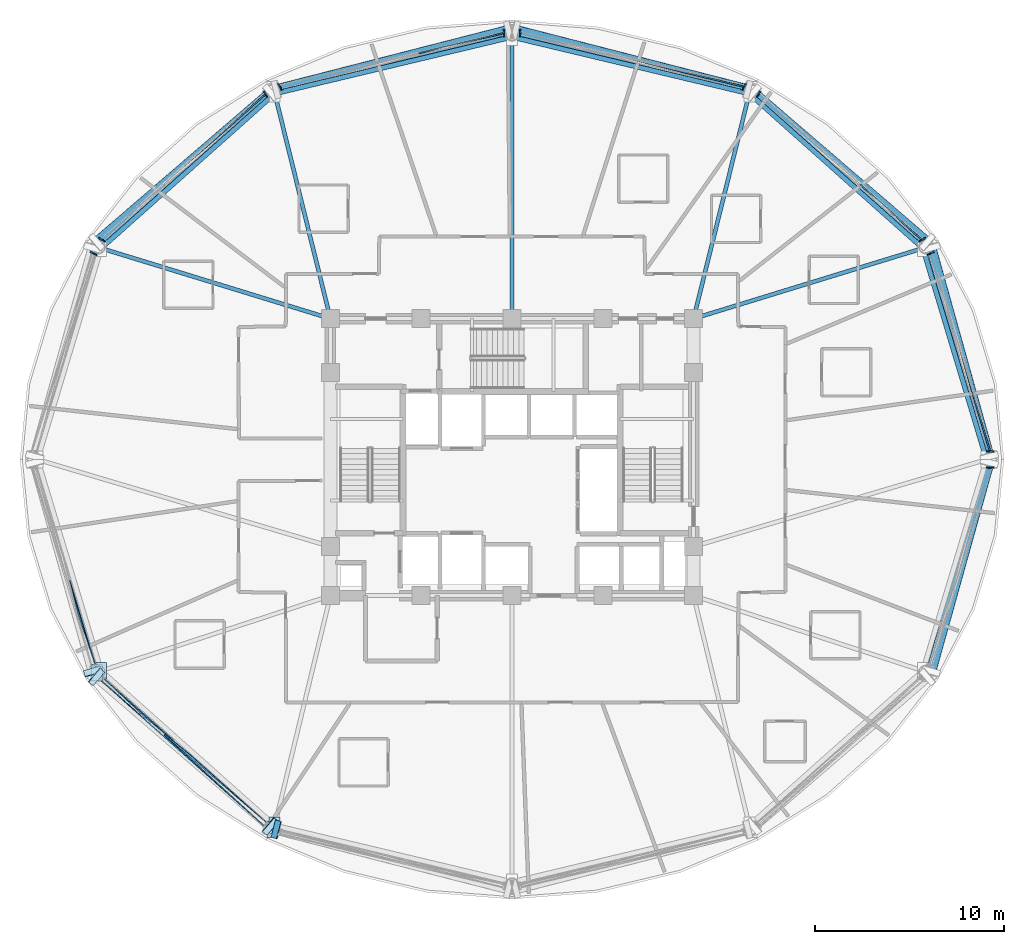
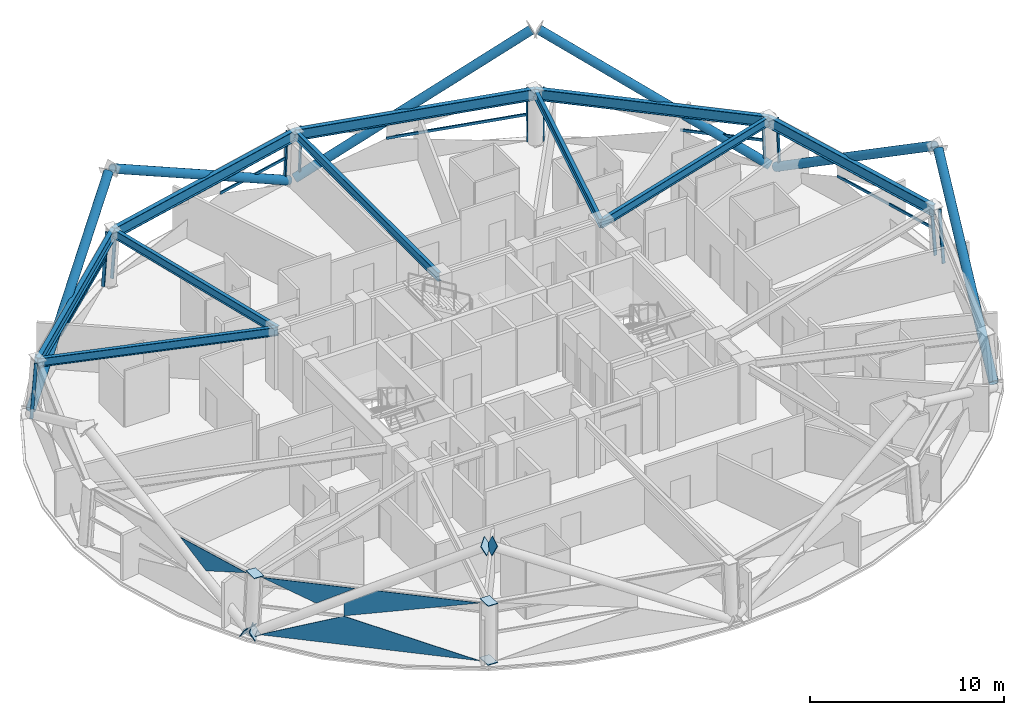
# One storey, part 3 of 13: 23 members, 12 plates, 10 beams, 9 elements without a shape of their own.
"""IFC4 building model written with IfcOpenShell, lengths in metres."""

import ifcopenshell
import ifcopenshell.guid

model = None  # the IFC model being written
_history = None  # IfcOwnerHistory: only IFC2X3 demands one
_inside = {}  # id of a spatial element -> (the spatial element, [elements in it])
_under = {}  # id of a project, library or spatial element -> (it, [spatial elements below it])
_declared = {}  # id of a project -> (the project, [libraries it declares])
_typed = {}  # id of a type object -> (the type object, [elements of that type])
_made_of = {}  # id of a material, layer set ... -> (it, [elements and type objects made of it])


def new_model(schema):
    """Start an empty IFC model of exactly this schema.

    Asked for "IFC4X3", IfcOpenShell would pick the latest addendum, in which some entities
    have other attributes; the version numbers below select the first issue.
    IFC2X3 requires an IfcOwnerHistory on every rooted entity: one is made here for all.
    """
    global model, _history
    if schema == "IFC4X3":
        model = ifcopenshell.file(schema_version=(4, 3, 0, 0))
    else:
        model = ifcopenshell.file(schema=schema)
    _inside.clear()
    _under.clear()
    _declared.clear()
    _typed.clear()
    _made_of.clear()
    _history = None
    if model.schema == "IFC2X3":
        org = make("IfcOrganization", Name="unknown")
        user = make(
            "IfcPersonAndOrganization",
            ThePerson=make("IfcPerson", FamilyName="unknown"),
            TheOrganization=org,
        )
        app = make(
            "IfcApplication",
            ApplicationDeveloper=org,
            Version="unknown",
            ApplicationFullName="unknown",
            ApplicationIdentifier="unknown",
        )
        _history = make(
            "IfcOwnerHistory",
            OwningUser=user,
            OwningApplication=app,
            ChangeAction="ADDED",
            CreationDate=0,
        )
    return model


def make(cls, **values):
    """One entity of the class cls with the attributes given. An attribute that is None is left unset."""
    return model.create_entity(
        cls, **{name: value for name, value in values.items() if value is not None}
    )


def rooted(cls, **values):
    """An entity with a GlobalId (a new one), such as an element, a storey or a relation."""
    return make(cls, GlobalId=ifcopenshell.guid.new(), OwnerHistory=_history, **values)


def si_unit(unit_type, name, prefix=None):
    """IfcSIUnit, for example si_unit("LENGTHUNIT", "METRE", prefix="MILLI")."""
    return make("IfcSIUnit", UnitType=unit_type, Prefix=prefix, Name=name)


def assignment(units):
    """IfcUnitAssignment: the units of a project."""
    return None if units is None else make("IfcUnitAssignment", Units=units)


def point(xyz):
    """IfcCartesianPoint."""
    return None if xyz is None else make("IfcCartesianPoint", Coordinates=xyz)


def direction(xyz):
    """IfcDirection."""
    return None if xyz is None else make("IfcDirection", DirectionRatios=xyz)


def frame(location, z_axis=None, x_axis=None):
    """IfcAxis2Placement3D, a coordinate frame: its origin and axes. An axis left out is left unset."""
    return make(
        "IfcAxis2Placement3D",
        Location=point(location),
        Axis=direction(z_axis),
        RefDirection=direction(x_axis),
    )


def frame_2d(location, x_axis=None):
    """IfcAxis2Placement2D, a coordinate frame in the plane: its origin and x axis."""
    return make(
        "IfcAxis2Placement2D", Location=point(location), RefDirection=direction(x_axis)
    )


def origin():
    """The frame at (0, 0, 0) with its axes left unset."""
    return frame((0.0, 0.0, 0.0))


def origin_2d():
    """The frame at (0, 0) in the plane with its x axis left unset."""
    return frame_2d((0.0, 0.0))


def place(relative_to, where):
    """IfcLocalPlacement: puts the frame where relative to a parent placement (None: the world)."""
    return make(
        "IfcLocalPlacement", PlacementRelTo=relative_to, RelativePlacement=where
    )


def context(
    kind, dimensions, precision=None, world=None, true_north=None, identifier=None
):
    """IfcGeometricRepresentationContext, for example the 3D "Model" context."""
    return make(
        "IfcGeometricRepresentationContext",
        ContextIdentifier=identifier,
        ContextType=kind,
        CoordinateSpaceDimension=dimensions,
        Precision=precision,
        WorldCoordinateSystem=world,
        TrueNorth=true_north,
    )


def subcontext(parent, identifier, kind, view, scale=None):
    """IfcGeometricRepresentationSubContext, for example "Body" below "Model"."""
    return make(
        "IfcGeometricRepresentationSubContext",
        ContextIdentifier=identifier,
        ContextType=kind,
        ParentContext=parent,
        TargetScale=scale,
        TargetView=view,
    )


def project(units=None, contexts=None):
    """IfcProject with its units and contexts."""
    return rooted(
        "IfcProject",
        Name="project",
        RepresentationContexts=contexts,
        UnitsInContext=assignment(units),
    )


def spatial(cls, under=None, at=None, **own):
    """A site, building, storey or space (cls), placed at a placement, below another one or the project."""
    s = rooted(cls, ObjectPlacement=at, **own)
    if under is not None:
        _under.setdefault(under.id(), (under, []))[1].append(s)
    return s


def polyline(points):
    """IfcPolyline through the points."""
    return make("IfcPolyline", Points=[point(p) for p in points])


def profile(cls, at=None, kind="AREA", **sizes):
    """A parametric profile (cls). Its sizes go by their IFC names, for example OverallWidth=200.0."""
    return make(cls, ProfileType=kind, Position=at, **sizes)


def hollow_rectangle(**sizes):
    """IfcRectangleHollowProfileDef."""
    return profile("IfcRectangleHollowProfileDef", **sizes)


def hollow_circle(**sizes):
    """IfcCircleHollowProfileDef."""
    return profile("IfcCircleHollowProfileDef", **sizes)


def i_section(**sizes):
    """IfcIShapeProfileDef."""
    return profile("IfcIShapeProfileDef", **sizes)


def outline(outer, holes=None, kind="AREA"):
    """IfcArbitraryClosedProfileDef: a profile drawn as a closed curve; with holes, ...WithVoids."""
    if holes is None:
        return make("IfcArbitraryClosedProfileDef", ProfileType=kind, OuterCurve=outer)
    return make(
        "IfcArbitraryProfileDefWithVoids",
        ProfileType=kind,
        OuterCurve=outer,
        InnerCurves=holes,
    )


def extrude(swept, where, along, depth):
    """IfcExtrudedAreaSolid: the profile swept, set in the frame where, extruded along a direction by depth."""
    return make(
        "IfcExtrudedAreaSolid",
        SweptArea=swept,
        Position=where,
        ExtrudedDirection=direction(along),
        Depth=depth,
    )


def shape(context_of_items, identifier, shape_type, items):
    """IfcShapeRepresentation: the items that make up one representation, for example the "Body"."""
    return make(
        "IfcShapeRepresentation",
        ContextOfItems=context_of_items,
        RepresentationIdentifier=identifier,
        RepresentationType=shape_type,
        Items=items,
    )


def material(Name=None, Category=None):
    """IfcMaterial."""
    return make("IfcMaterial", Name=Name, Category=Category)


def layer(
    of_material, thickness, ventilated=None, Name=None, Category=None, Priority=None
):
    """IfcMaterialLayer: one layer of a wall or slab, of a material (None: an air gap)."""
    return make(
        "IfcMaterialLayer",
        Material=of_material,
        LayerThickness=thickness,
        IsVentilated=ventilated,
        Name=Name,
        Category=Category,
        Priority=Priority,
    )


def layer_set(layers, Name=None):
    """IfcMaterialLayerSet."""
    return make("IfcMaterialLayerSet", MaterialLayers=layers, LayerSetName=Name)


def material_profile(
    of_material, cross_section, Name=None, Category=None, Priority=None
):
    """IfcMaterialProfile: a cross section and its material."""
    return make(
        "IfcMaterialProfile",
        Name=Name,
        Material=of_material,
        Profile=cross_section,
        Priority=Priority,
        Category=Category,
    )


def profile_set(profiles, Name=None, composite=None):
    """IfcMaterialProfileSet."""
    return make(
        "IfcMaterialProfileSet",
        Name=Name,
        MaterialProfiles=profiles,
        CompositeProfile=composite,
    )


def made_of(thing, what):
    """Note that an element or type object is made of a material, layer set ...; save() writes the relation."""
    if what is not None:
        _made_of.setdefault(what.id(), (what, []))[1].append(thing)
    return thing


def type_object(cls, material=None, **own):
    """A type object (cls), such as IfcWallType, which elements share."""
    return made_of(rooted(cls, **own), material)


def element(
    cls,
    number,
    at=None,
    inside=None,
    cuts=None,
    type_object=None,
    material=None,
    context=None,
    identifier="Body",
    shape_type=None,
    held_by="IfcProductDefinitionShape",
    body=None,
    shapes=None,
    **own,
):
    """One element of the class cls, such as IfcWall. Its Tag is "e" and its number.

    at: its placement. inside: the storey or other place that contains it. cuts: it is an
    opening in that element (IfcRelVoidsElement). A single representation is given by context,
    identifier, shape_type and body (its items); several are given by shapes. held_by: the class
    of the entity that holds the representations. save() writes the other relations.
    """
    e = rooted(cls, Tag="e%d" % number, ObjectPlacement=at, **own)
    if body is not None:
        shapes = [shape(context, identifier, shape_type, body)]
    if shapes is not None:
        e.Representation = make(held_by, Representations=shapes)
    if inside is not None:
        _inside.setdefault(inside.id(), (inside, []))[1].append(e)
    if cuts is not None:
        rooted(
            "IfcRelVoidsElement", RelatingBuildingElement=cuts, RelatedOpeningElement=e
        )
    if type_object is not None:
        _typed.setdefault(type_object.id(), (type_object, []))[1].append(e)
    return made_of(e, material)


def aggregate(whole, parts):
    """IfcRelAggregates: a whole, such as a stair, and the parts it consists of."""
    return rooted("IfcRelAggregates", RelatingObject=whole, RelatedObjects=parts)


def save(model, path):
    """Write the relations noted so far, then the file.

    IfcRelAggregates (storeys below a building ...), IfcRelContainedInSpatialStructure (elements
    in a storey), IfcRelDefinesByType, IfcRelAssociatesMaterial and IfcRelDeclares: one each for
    every whole, place, type object, material and project.
    """
    for whole, parts in _under.values():
        aggregate(whole, parts)
    for where, things in _inside.values():
        rooted(
            "IfcRelContainedInSpatialStructure",
            RelatedElements=things,
            RelatingStructure=where,
        )
    for kind, things in _typed.values():
        rooted("IfcRelDefinesByType", RelatedObjects=things, RelatingType=kind)
    for what, things in _made_of.values():
        rooted("IfcRelAssociatesMaterial", RelatedObjects=things, RelatingMaterial=what)
    for by, libraries in _declared.values():
        rooted("IfcRelDeclares", RelatingContext=by, RelatedDefinitions=libraries)
    model.write(path)


model = new_model("IFC4")

# Units and contexts
model_context = context("Model", 3, precision=1e-05, world=origin(), true_north=direction((0.0, 1.0)))
body_context = subcontext(model_context, "Body", "Model", "MODEL_VIEW")
ifc_project = project(units=[si_unit("LENGTHUNIT", "METRE"), si_unit("AREAUNIT", "SQUARE_METRE"), si_unit("VOLUMEUNIT", "CUBIC_METRE"), si_unit("PLANEANGLEUNIT", "RADIAN"), si_unit("MASSUNIT", "GRAM", prefix="KILO")], contexts=[model_context])

# Site, building, storey
site_placement = place(None, origin())
site = spatial("IfcSite", under=ifc_project, at=site_placement, CompositionType="ELEMENT")
building_placement = place(site_placement, origin())
building = spatial("IfcBuilding", under=site, at=building_placement, Name="Vantalir Tower", CompositionType="ELEMENT")
storey_placement = place(building_placement, frame((0.0, 0.0, 127.199951171875)))
storey = spatial("IfcBuildingStorey", under=building, at=storey_placement, Name="L31", CompositionType="ELEMENT", Elevation=127.199951171875)

# Beams
ifc_material_1 = material(Name="Steel S355", Category="steel")
ifc_material_profile_1 = material_profile(ifc_material_1, i_section(OverallWidth=0.2109375, OverallDepth=0.5390625, WebThickness=0.01171875, FlangeThickness=0.018798828125, at=origin_2d()), Name="Steel S355")
ifc_profile_set_1 = profile_set([ifc_material_profile_1], Name="Steel S355")
beam_type_1 = type_object("IfcBeamType", Name="BM-RB-533x210", PredefinedType="BEAM", material=ifc_profile_set_1)
beam_1_placement = place(storey_placement, frame((53.23095703125, 36.172119140625, 3.301025390625), z_axis=(-0.956009182138, -0.293336741082, 0.0), x_axis=(0.293336741082, -0.956009182138, 0.0)))
element("IfcBeam", 1, at=beam_1_placement, inside=storey, type_object=beam_type_1, Name="L31 Radial Floor Beam 02", PredefinedType="BEAM", context=body_context, shape_type="SweptSolid", body=[
    extrude(i_section(OverallWidth=0.2109375, OverallDepth=0.5390625, WebThickness=0.01171875, FlangeThickness=0.018798828125, at=origin_2d()), origin(), (0.0, 0.0, 1.0), 12.68896484375),
])
beam_2_placement = place(storey_placement, frame((44.047119140625, 44.35107421875, 3.301025390625), z_axis=(-0.240365710166, -0.970682401909, 0.0), x_axis=(0.970682401909, -0.240365710166, 0.0)))
element("IfcBeam", 2, at=beam_2_placement, inside=storey, type_object=beam_type_1, Name="L31 Radial Floor Beam 03", PredefinedType="BEAM", context=body_context, shape_type="SweptSolid", body=[
    extrude(i_section(OverallWidth=0.2109375, OverallDepth=0.5390625, WebThickness=0.01171875, FlangeThickness=0.018798828125, at=origin_2d()), origin(), (0.0, 0.0, 1.0), 12.260498046875),
])
beam_3_placement = place(storey_placement, frame((31.5, 47.344970703125, 3.301025390625), z_axis=(0.0, -1.0, 0.0), x_axis=(1.0, 0.0, 0.0)))
element("IfcBeam", 3, at=beam_3_placement, inside=storey, type_object=beam_type_1, Name="L31 Radial Floor Beam 04", PredefinedType="BEAM", context=body_context, shape_type="SweptSolid", body=[
    extrude(i_section(OverallWidth=0.2109375, OverallDepth=0.5390625, WebThickness=0.01171875, FlangeThickness=0.018798828125, at=origin_2d()), origin(), (0.0, 0.0, 1.0), 14.89501953125),
])
beam_4_placement = place(storey_placement, frame((18.9541015625, 44.35107421875, 3.301025390625), z_axis=(0.240271895839, -0.970705627917, 0.0), x_axis=(0.970705627917, 0.240271895839, 0.0)))
element("IfcBeam", 4, at=beam_4_placement, inside=storey, type_object=beam_type_1, Name="L31 Radial Floor Beam 05", PredefinedType="BEAM", context=body_context, shape_type="SweptSolid", body=[
    extrude(i_section(OverallWidth=0.2109375, OverallDepth=0.5390625, WebThickness=0.01171875, FlangeThickness=0.018798828125, at=origin_2d()), origin(), (0.0, 0.0, 1.0), 12.26025390625),
])
beam_5_placement = place(storey_placement, frame((9.76904296875, 36.172119140625, 3.301025390625), z_axis=(0.956009182138, -0.293336741082, 0.0), x_axis=(0.293336741082, 0.956009182138, 0.0)))
element("IfcBeam", 5, at=beam_5_placement, inside=storey, type_object=beam_type_1, Name="L31 Radial Floor Beam 06", PredefinedType="BEAM", context=body_context, shape_type="SweptSolid", body=[
    extrude(i_section(OverallWidth=0.2109375, OverallDepth=0.5390625, WebThickness=0.01171875, FlangeThickness=0.018798828125, at=origin_2d()), origin(), (0.0, 0.0, 1.0), 12.68896484375),
])
ifc_material_2 = material(Name="Steel S460", Category="steel")
ifc_material_profile_2 = material_profile(ifc_material_2, i_section(OverallWidth=0.256103515625, OverallDepth=0.693115234375, WebThickness=0.014404296875, FlangeThickness=0.023681640625, at=origin_2d()), Name="Steel S460")
ifc_profile_set_2 = profile_set([ifc_material_profile_2], Name="Steel S460")
beam_type_2 = type_object("IfcBeamType", Name="BM-RG-686x254", PredefinedType="USERDEFINED", material=ifc_profile_set_2)
beam_6_placement = place(storey_placement, frame((56.593017578125, 25.0, 3.22412109375), z_axis=(-0.288167529417, 0.957580009706, 0.0), x_axis=(-0.957580009706, -0.288167529417, 0.0)))
element("IfcBeam", 6, at=beam_6_placement, inside=storey, type_object=beam_type_2, Name="L31 Circumferential Ring Girder 01", ObjectType="GIRDER", PredefinedType="USERDEFINED", context=body_context, shape_type="SweptSolid", body=[
    extrude(i_section(OverallWidth=0.256103515625, OverallDepth=0.693115234375, WebThickness=0.014404296875, FlangeThickness=0.023681640625, at=origin_2d()), origin(), (0.0, 0.0, 1.0), 11.6669921875),
])
beam_7_placement = place(storey_placement, frame((53.23095703125, 36.172119140625, 3.22412109375), z_axis=(-0.74678138086, 0.665069597261, 0.0), x_axis=(-0.665069597261, -0.74678138086, 0.0)))
element("IfcBeam", 7, at=beam_7_placement, inside=storey, type_object=beam_type_2, Name="L31 Circumferential Ring Girder 02", ObjectType="GIRDER", PredefinedType="USERDEFINED", context=body_context, shape_type="SweptSolid", body=[
    extrude(i_section(OverallWidth=0.256103515625, OverallDepth=0.693115234375, WebThickness=0.014404296875, FlangeThickness=0.023681640625, at=origin_2d()), origin(), (0.0, 0.0, 1.0), 12.2978515625),
])
beam_8_placement = place(storey_placement, frame((44.047119140625, 44.35107421875, 3.22412109375), z_axis=(-0.972692782587, 0.232096425444, 0.0), x_axis=(-0.232096425444, -0.972692782587, 0.0)))
element("IfcBeam", 8, at=beam_8_placement, inside=storey, type_object=beam_type_2, Name="L31 Circumferential Ring Girder 03", ObjectType="GIRDER", PredefinedType="USERDEFINED", context=body_context, shape_type="SweptSolid", body=[
    extrude(i_section(OverallWidth=0.256103515625, OverallDepth=0.693115234375, WebThickness=0.014404296875, FlangeThickness=0.023681640625, at=origin_2d()), origin(), (0.0, 0.0, 1.0), 12.8994140625),
])
beam_9_placement = place(storey_placement, frame((31.5, 47.344970703125, 3.22412109375), z_axis=(-0.972687684131, -0.232117791518, 0.0), x_axis=(0.232117791518, -0.972687684131, 0.0)))
element("IfcBeam", 9, at=beam_9_placement, inside=storey, type_object=beam_type_2, Name="L31 Circumferential Ring Girder 04", ObjectType="GIRDER", PredefinedType="USERDEFINED", context=body_context, shape_type="SweptSolid", body=[
    extrude(i_section(OverallWidth=0.256103515625, OverallDepth=0.693115234375, WebThickness=0.014404296875, FlangeThickness=0.023681640625, at=origin_2d()), origin(), (0.0, 0.0, 1.0), 12.898193359375),
])
beam_10_placement = place(storey_placement, frame((18.9541015625, 44.35107421875, 3.22412109375), z_axis=(-0.746825280931, -0.665020300263, 0.0), x_axis=(0.665020300263, -0.746825280931, 0.0)))
element("IfcBeam", 10, at=beam_10_placement, inside=storey, type_object=beam_type_2, Name="L31 Circumferential Ring Girder 05", ObjectType="GIRDER", PredefinedType="USERDEFINED", context=body_context, shape_type="SweptSolid", body=[
    extrude(i_section(OverallWidth=0.256103515625, OverallDepth=0.693115234375, WebThickness=0.014404296875, FlangeThickness=0.023681640625, at=origin_2d()), origin(), (0.0, 0.0, 1.0), 12.298828125),
])

# Curtain wall, members
ifc_material_3 = material(Name="Champagne-silver PVDF aluminium and double-silver Low-E glass", Category="aluminium")
ifc_layer_1 = layer(ifc_material_3, 0.199951171875)
ifc_layer_set_1 = layer_set([ifc_layer_1], Name="Champagne-silver PVDF aluminium and double-silver Low-E glass")
curtain_wall_type = type_object("IfcCurtainWallType", Name="CW-DIAMOND-Z2", PredefinedType="USERDEFINED", material=ifc_layer_set_1)
curtain_wall_1_placement = place(storey_placement, origin())
curtain_wall_1 = element("IfcCurtainWall", 11, at=curtain_wall_1_placement, inside=storey, type_object=curtain_wall_type, Name="L31 Quilted Pyramid-Diamond Curtain Wall S01", ObjectType="UNITISED CURTAIN WALL", PredefinedType="USERDEFINED")
ifc_material_4 = material(Name="Champagne-silver PVDF aluminium 6063-T6", Category="aluminium")
ifc_material_profile_3 = material_profile(ifc_material_4, hollow_rectangle(XDim=0.074951171875, YDim=0.179931640625, WallThickness=0.00390625, at=origin_2d()), Name="Champagne-silver PVDF aluminium 6063-T6")
ifc_profile_set_3 = profile_set([ifc_material_profile_3], Name="Champagne-silver PVDF aluminium 6063-T6")
member_type_1 = type_object("IfcMemberType", Name="CWM-180x75", PredefinedType="MULLION", material=ifc_profile_set_3)
member_1_placement = place(storey_placement, frame((56.903076171875, 25.4208984375, 0.045166015625), z_axis=(-0.070819350884, 0.0, 0.997489157605), x_axis=(0.0, -1.0, 0.0)))
member_1 = element("IfcMember", 12, at=member_1_placement, type_object=member_type_1, Name="CW-L31-S01 Mullion 1", PredefinedType="MULLION", context=body_context, shape_type="SweptSolid", body=[
    extrude(hollow_rectangle(XDim=0.074951171875, YDim=0.179931640625, WallThickness=0.00390625, at=origin_2d()), origin(), (0.0, 0.0, 1.0), 3.48876953125),
])
member_2_placement = place(storey_placement, frame((53.737060546875, 35.95703125, 0.045166015625), z_axis=(-0.061379318381, -0.031844458225, 0.997606390194), x_axis=(0.460523956902, -0.887647275171, 0.0)))
member_2 = element("IfcMember", 13, at=member_2_placement, type_object=member_type_1, Name="CW-L31-S01 Mullion 2", PredefinedType="MULLION", context=body_context, shape_type="SweptSolid", body=[
    extrude(hollow_rectangle(XDim=0.074951171875, YDim=0.179931640625, WallThickness=0.00390625, at=origin_2d()), origin(), (0.0, 0.0, 1.0), 3.48828125),
])

curtain_wall_2_placement = place(storey_placement, origin())
curtain_wall_2 = element("IfcCurtainWall", 14, at=curtain_wall_2_placement, inside=storey, type_object=curtain_wall_type, Name="L31 Quilted Pyramid-Diamond Curtain Wall S02", ObjectType="UNITISED CURTAIN WALL", PredefinedType="USERDEFINED")
member_3_placement = place(storey_placement, frame((53.281982421875, 36.6708984375, 0.045166015625), z_axis=(-0.061309730279, -0.031774677564, 0.997612894283), x_axis=(0.460139651685, -0.887846552591, 0.0)))
member_3 = element("IfcMember", 15, at=member_3_placement, type_object=member_type_1, Name="CW-L31-S02 Mullion 1", PredefinedType="MULLION", context=body_context, shape_type="SweptSolid", body=[
    extrude(hollow_rectangle(XDim=0.074951171875, YDim=0.179931640625, WallThickness=0.00390625, at=origin_2d()), origin(), (0.0, 0.0, 1.0), 3.48828125),
])
member_4_placement = place(storey_placement, frame((44.593017578125, 44.4140625, 0.045166015625), z_axis=(-0.035283286034, -0.054815105089, 0.997872934787), x_axis=(0.840864304793, -0.541245989292, 0.0)))
member_4 = element("IfcMember", 16, at=member_4_placement, type_object=member_type_1, Name="CW-L31-S02 Mullion 2", PredefinedType="MULLION", context=body_context, shape_type="SweptSolid", body=[
    extrude(hollow_rectangle(XDim=0.074951171875, YDim=0.179931640625, WallThickness=0.00390625, at=origin_2d()), origin(), (0.0, 0.0, 1.0), 3.4873046875),
])

curtain_wall_3_placement = place(storey_placement, origin())
curtain_wall_3 = element("IfcCurtainWall", 17, at=curtain_wall_3_placement, inside=storey, type_object=curtain_wall_type, Name="L31 Quilted Pyramid-Diamond Curtain Wall S03", ObjectType="UNITISED CURTAIN WALL", PredefinedType="USERDEFINED")
member_5_placement = place(storey_placement, frame((43.8369140625, 44.80908203125, 0.045166015625), z_axis=(-0.035213366407, -0.054815240352, 0.997875397157), x_axis=(0.841352993355, -0.540486022551, 0.0)))
member_5 = element("IfcMember", 18, at=member_5_placement, type_object=member_type_1, Name="CW-L31-S03 Mullion 1", PredefinedType="MULLION", context=body_context, shape_type="SweptSolid", body=[
    extrude(hollow_rectangle(XDim=0.074951171875, YDim=0.179931640625, WallThickness=0.00390625, at=origin_2d()), origin(), (0.0, 0.0, 1.0), 3.4873046875),
])
member_6_placement = place(storey_placement, frame((31.927978515625, 47.654052734375, 0.045166015625), z_axis=(0.0, -0.063363366299, 0.997990522907), x_axis=(1.0, 0.0, 0.0)))
member_6 = element("IfcMember", 19, at=member_6_placement, type_object=member_type_1, Name="CW-L31-S03 Mullion 2", PredefinedType="MULLION", context=body_context, shape_type="SweptSolid", body=[
    extrude(hollow_rectangle(XDim=0.074951171875, YDim=0.179931640625, WallThickness=0.00390625, at=origin_2d()), origin(), (0.0, 0.0, 1.0), 3.487060546875),
])

curtain_wall_4_placement = place(storey_placement, origin())
curtain_wall_4 = element("IfcCurtainWall", 20, at=curtain_wall_4_placement, inside=storey, type_object=curtain_wall_type, Name="L31 Quilted Pyramid-Diamond Curtain Wall S04", ObjectType="UNITISED CURTAIN WALL", PredefinedType="USERDEFINED")
member_7_placement = place(storey_placement, frame((31.072021484375, 47.654052734375, 0.045166015625), z_axis=(0.0, -0.063363366299, 0.997990522907), x_axis=(1.0, 0.0, 0.0)))
member_7 = element("IfcMember", 21, at=member_7_placement, type_object=member_type_1, Name="CW-L31-S04 Mullion 1", PredefinedType="MULLION", context=body_context, shape_type="SweptSolid", body=[
    extrude(hollow_rectangle(XDim=0.074951171875, YDim=0.179931640625, WallThickness=0.00390625, at=origin_2d()), origin(), (0.0, 0.0, 1.0), 3.487060546875),
])
member_8_placement = place(storey_placement, frame((19.1630859375, 44.80908203125, 0.045166015625), z_axis=(0.035562959351, -0.054814561362, 0.997863036586), x_axis=(0.838908401488, 0.544272628296, 0.0)))
member_8 = element("IfcMember", 22, at=member_8_placement, type_object=member_type_1, Name="CW-L31-S04 Mullion 2", PredefinedType="MULLION", context=body_context, shape_type="SweptSolid", body=[
    extrude(hollow_rectangle(XDim=0.074951171875, YDim=0.179931640625, WallThickness=0.00390625, at=origin_2d()), origin(), (0.0, 0.0, 1.0), 3.487548828125),
])

curtain_wall_5_placement = place(storey_placement, origin())
curtain_wall_5 = element("IfcCurtainWall", 23, at=curtain_wall_5_placement, inside=storey, type_object=curtain_wall_type, Name="L31 Quilted Pyramid-Diamond Curtain Wall S05", ObjectType="UNITISED CURTAIN WALL", PredefinedType="USERDEFINED")
member_9_placement = place(storey_placement, frame((18.406982421875, 44.4140625, 0.045166015625), z_axis=(0.035562959351, -0.054814561362, 0.997863036586), x_axis=(0.838908401488, 0.544272628296, 0.0)))
member_9 = element("IfcMember", 24, at=member_9_placement, type_object=member_type_1, Name="CW-L31-S05 Mullion 1", PredefinedType="MULLION", context=body_context, shape_type="SweptSolid", body=[
    extrude(hollow_rectangle(XDim=0.074951171875, YDim=0.179931640625, WallThickness=0.00390625, at=origin_2d()), origin(), (0.0, 0.0, 1.0), 3.487548828125),
])
member_10_placement = place(storey_placement, frame((9.718017578125, 36.6708984375, 0.045166015625), z_axis=(0.061309730279, -0.031774677564, 0.997612894283), x_axis=(0.460139651685, 0.887846552591, 0.0)))
member_10 = element("IfcMember", 25, at=member_10_placement, type_object=member_type_1, Name="CW-L31-S05 Mullion 2", PredefinedType="MULLION", context=body_context, shape_type="SweptSolid", body=[
    extrude(hollow_rectangle(XDim=0.074951171875, YDim=0.179931640625, WallThickness=0.00390625, at=origin_2d()), origin(), (0.0, 0.0, 1.0), 3.48828125),
])

# Curtain wall, member
curtain_wall_6_placement = place(storey_placement, origin())
curtain_wall_6 = element("IfcCurtainWall", 26, at=curtain_wall_6_placement, inside=storey, type_object=curtain_wall_type, Name="L31 Quilted Pyramid-Diamond Curtain Wall S06", ObjectType="UNITISED CURTAIN WALL", PredefinedType="USERDEFINED")
member_11_placement = place(storey_placement, frame((9.262939453125, 35.95703125, 0.045166015625), z_axis=(0.061379318381, -0.031844458225, 0.997606390194), x_axis=(0.460523956902, 0.887647275171, 0.0)))
member_11 = element("IfcMember", 27, at=member_11_placement, type_object=member_type_1, Name="CW-L31-S06 Mullion 1", PredefinedType="MULLION", context=body_context, shape_type="SweptSolid", body=[
    extrude(hollow_rectangle(XDim=0.074951171875, YDim=0.179931640625, WallThickness=0.00390625, at=origin_2d()), origin(), (0.0, 0.0, 1.0), 3.48828125),
])
aggregate(curtain_wall_6, [member_11])

curtain_wall_7_placement = place(storey_placement, origin())
curtain_wall_7 = element("IfcCurtainWall", 28, at=curtain_wall_7_placement, inside=storey, type_object=curtain_wall_type, Name="L31 Quilted Pyramid-Diamond Curtain Wall S12", ObjectType="UNITISED CURTAIN WALL", PredefinedType="USERDEFINED")
member_12_placement = place(storey_placement, frame((56.903076171875, 24.5791015625, 0.045166015625), z_axis=(-0.070819350884, 0.0, 0.997489157605), x_axis=(0.0, -1.0, 0.0)))
member_12 = element("IfcMember", 29, at=member_12_placement, type_object=member_type_1, Name="CW-L31-S12 Mullion 2", PredefinedType="MULLION", context=body_context, shape_type="SweptSolid", body=[
    extrude(hollow_rectangle(XDim=0.074951171875, YDim=0.179931640625, WallThickness=0.00390625, at=origin_2d()), origin(), (0.0, 0.0, 1.0), 3.48876953125),
])
aggregate(curtain_wall_7, [member_12])

# Member
ifc_material_profile_4 = material_profile(ifc_material_4, hollow_rectangle(XDim=0.074951171875, YDim=0.159912109375, WallThickness=0.00390625, at=origin_2d()), Name="Champagne-silver PVDF aluminium 6063-T6")
ifc_profile_set_4 = profile_set([ifc_material_profile_4], Name="Champagne-silver PVDF aluminium 6063-T6")
member_type_2 = type_object("IfcMemberType", Name="CWT-160x75", PredefinedType="USERDEFINED", material=ifc_profile_set_4)
member_13_placement = place(storey_placement, frame((56.780029296875, 25.4208984375, 1.78515625), z_axis=(-0.284425203205, 0.958698233952, 0.0), x_axis=(-0.958698233952, -0.284425203205, 0.0)))
member_13 = element("IfcMember", 30, at=member_13_placement, type_object=member_type_2, Name="CW-L31-S01 Pyramid Fold Ridge Transom", ObjectType="TRANSOM", PredefinedType="USERDEFINED", context=body_context, shape_type="SweptSolid", body=[
    extrude(hollow_rectangle(XDim=0.074951171875, YDim=0.159912109375, WallThickness=0.00390625, at=origin_2d()), origin(), (0.0, 0.0, 1.0), 6.785400390625),
])

aggregate(curtain_wall_1, [member_1, member_2, member_13])

member_14_placement = place(storey_placement, frame((53.175048828125, 36.614990234375, 1.78515625), z_axis=(-0.74302343959, 0.669265394458, 0.0), x_axis=(-0.669265394458, -0.74302343959, 0.0)))
member_14 = element("IfcMember", 31, at=member_14_placement, type_object=member_type_2, Name="CW-L31-S02 Pyramid Fold Ridge Transom", ObjectType="TRANSOM", PredefinedType="USERDEFINED", context=body_context, shape_type="SweptSolid", body=[
    extrude(hollow_rectangle(XDim=0.074951171875, YDim=0.159912109375, WallThickness=0.00390625, at=origin_2d()), origin(), (0.0, 0.0, 1.0), 4.395751953125),
])

aggregate(curtain_wall_2, [member_3, member_4, member_14])

member_15_placement = place(storey_placement, frame((43.77587890625, 44.714111328125, 1.78515625), z_axis=(-0.971933029373, 0.235257702134, 0.0), x_axis=(-0.235257702134, -0.971933029373, 0.0)))
member_15 = element("IfcMember", 32, at=member_15_placement, type_object=member_type_2, Name="CW-L31-S03 Pyramid Fold Ridge Transom", ObjectType="TRANSOM", PredefinedType="USERDEFINED", context=body_context, shape_type="SweptSolid", body=[
    extrude(hollow_rectangle(XDim=0.074951171875, YDim=0.159912109375, WallThickness=0.00390625, at=origin_2d()), origin(), (0.0, 0.0, 1.0), 7.552734375),
])

aggregate(curtain_wall_3, [member_5, member_6, member_15])

member_16_placement = place(storey_placement, frame((31.072021484375, 47.54296875, 1.78515625), z_axis=(-0.973824475954, -0.227301319911, 0.0), x_axis=(0.227301319911, -0.973824475954, 0.0)))
member_16 = element("IfcMember", 33, at=member_16_placement, type_object=member_type_2, Name="CW-L31-S04 Pyramid Fold Ridge Transom", ObjectType="TRANSOM", PredefinedType="USERDEFINED", context=body_context, shape_type="SweptSolid", body=[
    extrude(hollow_rectangle(XDim=0.074951171875, YDim=0.159912109375, WallThickness=0.00390625, at=origin_2d()), origin(), (0.0, 0.0, 1.0), 4.628173828125),
])

aggregate(curtain_wall_4, [member_7, member_8, member_16])

member_17_placement = place(storey_placement, frame((18.468994140625, 44.319091796875, 1.78515625), z_axis=(-0.748664327127, -0.662949262981, 0.0), x_axis=(0.662949262981, -0.748664327127, 0.0)))
member_17 = element("IfcMember", 34, at=member_17_placement, type_object=member_type_2, Name="CW-L31-S05 Pyramid Fold Ridge Transom", ObjectType="TRANSOM", PredefinedType="USERDEFINED", context=body_context, shape_type="SweptSolid", body=[
    extrude(hollow_rectangle(XDim=0.074951171875, YDim=0.159912109375, WallThickness=0.00390625, at=origin_2d()), origin(), (0.0, 0.0, 1.0), 7.183349609375),
])

aggregate(curtain_wall_5, [member_9, member_10, member_17])

# Members
ifc_material_profile_5 = material_profile(ifc_material_2, hollow_circle(Radius=0.260009765625, WallThickness=0.0380859375, at=origin_2d()), Name="Steel S460")
ifc_profile_set_5 = profile_set([ifc_material_profile_5], Name="Steel S460")
member_type_3 = type_object("IfcMemberType", Name="MEM-DB-520x38", PredefinedType="BRACE", material=ifc_profile_set_5)
member_18_placement = place(storey_placement, frame((53.465087890625, 36.501953125, 0.18896484375), z_axis=(-0.657783846671, 0.565484487982, 0.497541661482), x_axis=(-0.65190034448, -0.758304649113, 0.0)))
element("IfcMember", 35, at=member_18_placement, inside=storey, type_object=member_type_3, Name="L31 Perimeter S460 Diagrid Brace R04L", PredefinedType="BRACE", context=body_context, shape_type="SweptSolid", body=[
    extrude(hollow_circle(Radius=0.260009765625, WallThickness=0.0380859375, at=origin_2d()), origin(), (0.0, 0.0, 1.0), 13.952880859375),
])
member_19_placement = place(storey_placement, frame((53.660888671875, 36.197021484375, 0.194091796875), z_axis=(0.229645196485, -0.823757894569, 0.518349317417), x_axis=(0.963269147263, 0.268537799819, 0.0)))
element("IfcMember", 36, at=member_19_placement, inside=storey, type_object=member_type_3, Name="L31 Perimeter S460 Diagrid Brace R04R", PredefinedType="BRACE", context=body_context, shape_type="SweptSolid", body=[
    extrude(hollow_circle(Radius=0.260009765625, WallThickness=0.0380859375, at=origin_2d()), origin(), (0.0, 0.0, 1.0), 13.373046875),
])
member_20_placement = place(storey_placement, frame((31.31298828125, 47.7080078125, 0.18603515625), z_axis=(-0.849261692294, -0.217664930012, 0.481016170461), x_axis=(0.248274232581, -0.968689788031, 0.0)))
element("IfcMember", 37, at=member_20_placement, inside=storey, type_object=member_type_3, Name="L31 Perimeter S460 Diagrid Brace R10L", PredefinedType="BRACE", context=body_context, shape_type="SweptSolid", body=[
    extrude(hollow_circle(Radius=0.260009765625, WallThickness=0.0380859375, at=origin_2d()), origin(), (0.0, 0.0, 1.0), 14.4443359375),
])
member_21_placement = place(storey_placement, frame((31.68701171875, 47.7080078125, 0.18603515625), z_axis=(0.849280536795, -0.217652432892, 0.480988553167), x_axis=(0.248255687522, 0.968694540922, 0.0)))
element("IfcMember", 38, at=member_21_placement, inside=storey, type_object=member_type_3, Name="L31 Perimeter S460 Diagrid Brace R10R", PredefinedType="BRACE", context=body_context, shape_type="SweptSolid", body=[
    extrude(hollow_circle(Radius=0.260009765625, WallThickness=0.0380859375, at=origin_2d()), origin(), (0.0, 0.0, 1.0), 14.4453125),
])
member_22_placement = place(storey_placement, frame((9.534912109375, 36.501953125, 0.18896484375), z_axis=(0.657833475856, 0.565451946186, 0.497513029575), x_axis=(-0.65185048925, 0.758347505874, 0.0)))
element("IfcMember", 39, at=member_22_placement, inside=storey, type_object=member_type_3, Name="L31 Perimeter S460 Diagrid Brace R16R", PredefinedType="BRACE", context=body_context, shape_type="SweptSolid", body=[
    extrude(hollow_circle(Radius=0.260009765625, WallThickness=0.0380859375, at=origin_2d()), origin(), (0.0, 0.0, 1.0), 13.95361328125),
])
member_23_placement = place(storey_placement, frame((53.660888671875, 13.802978515625, 0.194091796875), z_axis=(0.229645196485, 0.823757894569, 0.518349317417), x_axis=(-0.963269147263, 0.268537799819, 0.0)))
element("IfcMember", 40, at=member_23_placement, inside=storey, type_object=member_type_3, Name="L31 Perimeter S460 Diagrid Brace R34L", PredefinedType="BRACE", context=body_context, shape_type="SweptSolid", body=[
    extrude(hollow_circle(Radius=0.260009765625, WallThickness=0.0380859375, at=origin_2d()), origin(), (0.0, 0.0, 1.0), 13.373046875),
])

# Curtain wall, plate
curtain_wall_8_placement = place(storey_placement, origin())
curtain_wall_8 = element("IfcCurtainWall", 41, at=curtain_wall_8_placement, inside=storey, type_object=curtain_wall_type, Name="L31 Quilted Pyramid-Diamond Curtain Wall S07", ObjectType="UNITISED CURTAIN WALL", PredefinedType="USERDEFINED")
ifc_material_5 = material(Name="Double-silver Low-E laminated glass IGU", Category="glass")
ifc_layer_2 = layer(ifc_material_5, 0.028076171875)
ifc_layer_set_2 = layer_set([ifc_layer_2], Name="Double-silver Low-E laminated glass IGU")
plate_type_1 = type_object("IfcPlateType", Name="CWP-IGU-28", PredefinedType="CURTAIN_PANEL", material=ifc_layer_set_2)
plate_1_placement = place(storey_placement, frame((8.1044921875, 18.609375, 3.526123046875), z_axis=(-0.954484302603, -0.286909959911, 0.081500864952), x_axis=(0.28786350339, -0.957671447135, -5.2529836e-05)))
plate_1 = element("IfcPlate", 42, at=plate_1_placement, type_object=plate_type_1, Name="CW-L31-S07 Pyramid Diamond Facet 2U Infill Light", PredefinedType="CURTAIN_PANEL", context=body_context, shape_type="SweptSolid", body=[
    extrude(outline(polyline([(0.0, 0.0), (4.647656299759709, 1.0652286344670081e-17), (1.900907038607601, -1.1519256511691902), (0.0, 0.0)])), origin(), (0.0, 0.0, -1.0), 0.028076171875),
])
aggregate(curtain_wall_8, [plate_1])

# Curtain wall, plates
curtain_wall_9_placement = place(storey_placement, origin())
curtain_wall_9 = element("IfcCurtainWall", 43, at=curtain_wall_9_placement, inside=storey, type_object=curtain_wall_type, Name="L31 Quilted Pyramid-Diamond Curtain Wall S08", ObjectType="UNITISED CURTAIN WALL", PredefinedType="USERDEFINED")
plate_2_placement = place(storey_placement, frame((9.729736328125, 13.3193359375, 0.046630859375), z_axis=(-0.664499165882, -0.745557236644, 0.050845505505), x_axis=(0.746522128378, -0.665360587501, -2.1031755e-05)))
plate_2 = element("IfcPlate", 44, at=plate_2_placement, type_object=plate_type_1, Name="CW-L31-S08 Pyramid Diamond Facet 1L", PredefinedType="CURTAIN_PANEL", context=body_context, shape_type="SweptSolid", body=[
    extrude(outline(polyline([(0.0, 0.0), (11.60819104345454, 6.564844154399729e-17), (4.432767764120906, 1.728891997896114), (0.0, 0.0)])), origin(), (0.0, 0.0, -1.0), 0.028076171875),
])
plate_3_placement = place(storey_placement, frame((14.4599609375, 9.40380859375, 3.5234375), z_axis=(-0.66335293728, -0.744234649954, 0.077959389496), x_axis=(0.746508999097, -0.665375316772, 4.5809633e-05)))
plate_3 = element("IfcPlate", 45, at=plate_3_placement, type_object=plate_type_1, Name="CW-L31-S08 Pyramid Diamond Facet 2U", PredefinedType="CURTAIN_PANEL", context=body_context, shape_type="SweptSolid", body=[
    extrude(outline(polyline([(0.0, 0.0), (5.4363817946983595, 2.5804011705155006e-17), (-1.703648019882752, -1.7319998791792564), (-1.703510882540738, -0.976521888032982), (0.0, 0.0)])), origin(), (0.0, 0.0, -1.0), 0.028076171875),
])
plate_4_placement = place(storey_placement, frame((9.92236328125, 13.405517578125, 3.52587890625), z_axis=(-0.663392360421, -0.744214225518, 0.077818780976), x_axis=(0.746480488313, -0.665407302403, 4.9768684e-05)))
plate_4 = element("IfcPlate", 46, at=plate_4_placement, type_object=plate_type_1, Name="CW-L31-S08 Pyramid Diamond Facet 2U Infill Light", PredefinedType="CURTAIN_PANEL", context=body_context, shape_type="SweptSolid", body=[
    extrude(outline(polyline([(0.0, 0.0), (4.905506964624447, 3.4423418976414766e-17), (2.8939302155579427, -1.1532995887870663), (0.0, 0.0)])), origin(), (0.0, 0.0, -1.0), 0.028076171875),
])
aggregate(curtain_wall_9, [plate_2, plate_3, plate_4])

# Plates
ifc_layer_3 = layer(ifc_material_2, 0.0400390625)
ifc_layer_set_3 = layer_set([ifc_layer_3], Name="Steel S460")
plate_type_2 = type_object("IfcPlateType", Name="PLT-KN-Z1", PredefinedType="USERDEFINED", material=ifc_layer_set_3)
plate_5_placement = place(storey_placement, frame((9.347412109375, 13.0322265625, -0.075439453125), z_axis=(0.657880455945, -0.565362533472, 0.497552521279), x_axis=(0.651764433453, 0.758421468107, 0.0)))
element("IfcPlate", 47, at=plate_5_placement, inside=storey, type_object=plate_type_2, Name="Node Cap Plate MEM-DG-L31-R22L Start", ObjectType="FLANGE_PLATE", PredefinedType="USERDEFINED", context=body_context, shape_type="SweptSolid", body=[
    extrude(outline(polyline([(0.0, 0.0), (0.9499453993214806, -2.7755575615628914e-17), (0.9500794233625794, 0.6200378222350169), (0.0001340240410987885, 0.6200378222350169), (0.0, 0.0)])), origin(), (0.0, 0.0, -1.0), 0.0400390625),
])
plate_6_placement = place(storey_placement, frame((18.541748046875, 5.129638671875, 6.877685546875), z_axis=(0.657964454071, -0.565434718917, 0.497359382964), x_axis=(0.651764433453, 0.758421468107, 0.0)))
element("IfcPlate", 48, at=plate_6_placement, inside=storey, type_object=plate_type_2, Name="Node Cap Plate MEM-DG-L31-R22L End", ObjectType="FLANGE_PLATE", PredefinedType="USERDEFINED", context=body_context, shape_type="SweptSolid", body=[
    extrude(outline(polyline([(0.0, 0.0), (0.9499453993214806, 0.0), (0.9498942618713423, 0.6199586659604027), (-5.1137450138307313e-05, 0.6199586659604027), (0.0, 0.0)])), origin(), (0.0, 0.0, -1.0), 0.0400390625),
])
plate_7_placement = place(storey_placement, frame((9.751953125, 14.09228515625, -0.06689453125), z_axis=(-0.22987995542, 0.823699878502, 0.518337454032), x_axis=(-0.963193206575, -0.268810057118, 0.0)))
element("IfcPlate", 49, at=plate_7_placement, inside=storey, type_object=plate_type_2, Name="Node Cap Plate MEM-DG-L31-R22R Start", ObjectType="FLANGE_PLATE", PredefinedType="USERDEFINED", context=body_context, shape_type="SweptSolid", body=[
    extrude(outline(polyline([(0.0, 0.0), (0.9500057270479744, -2.7755575615628914e-17), (0.9499766150601323, 0.6200750855473708), (-2.9111987842133505e-05, 0.6200750855473708), (0.0, 0.0)])), origin(), (0.0, 0.0, -1.0), 0.0400390625),
])
plate_8_placement = place(storey_placement, frame((18.9912109375, 5.940185546875, 6.8779296875), z_axis=(-0.849281928704, 0.217672152594, 0.48097717156), x_axis=(-0.248276411705, -0.968689229521, 0.0)))
element("IfcPlate", 50, at=plate_8_placement, inside=storey, type_object=plate_type_2, Name="Node Cap Plate MEM-DG-L31-R28R End", ObjectType="FLANGE_PLATE", PredefinedType="USERDEFINED", context=body_context, shape_type="SweptSolid", body=[
    extrude(outline(polyline([(0.0, 0.0), (0.9499083788509355, -1.3877787807814457e-17), (0.9498600003102835, 0.6198659774651539), (-4.837854065190657e-05, 0.6198659774651539), (0.0, 0.0)])), origin(), (0.0, 0.0, -1.0), 0.0400390625),
])
ifc_layer_4 = layer(ifc_material_2, 0.035888671875)
ifc_layer_set_4 = layer_set([ifc_layer_4], Name="Steel S460")
plate_type_3 = type_object("IfcPlateType", Name="PLT-KN-Z2", PredefinedType="USERDEFINED", material=ifc_layer_set_4)
plate_9_placement = place(storey_placement, frame((9.481201171875, 14.26806640625, 3.601806640625), z_axis=(0.059813102071, 0.030742180795, 0.997736092933), x_axis=(-2.55124e-07, -0.99952564955, 0.030797335794)))
element("IfcPlate", 51, at=plate_9_placement, inside=storey, type_object=plate_type_3, Name="L31 Ring Column Top Cap RC08", ObjectType="FLANGE_PLATE", PredefinedType="USERDEFINED", context=body_context, shape_type="SweptSolid", body=[
    extrude(outline(polyline([(0.0, 0.0), (0.8798119858279961, 0.0), (0.8799642811566529, 0.5798958956788641), (-9.172948812778638e-05, 0.5798954458891338), (0.0, 0.0)])), origin(), (0.0, 0.0, -1.0), 0.035888671875),
])
plate_10_placement = place(storey_placement, frame((9.268798828125, 14.158935546875, 0.056640625), z_axis=(0.059806642976, 0.030737930566, 0.997736611076), x_axis=(0.0, -0.999525781572, 0.030793050723)))
element("IfcPlate", 52, at=plate_10_placement, inside=storey, type_object=plate_type_3, Name="L31 Ring Column Base Cap RC08", ObjectType="FLANGE_PLATE", PredefinedType="USERDEFINED", context=body_context, shape_type="SweptSolid", body=[
    extrude(outline(polyline([(0.0, 0.0), (0.8800560106528968, -2.168404344971009e-19), (0.8799645775287857, 0.5798954459480804), (-9.143312411113568e-05, 0.5798954459480804), (0.0, 0.0)])), origin(), (0.0, 0.0, -1.0), 0.035888671875),
])
plate_11_placement = place(storey_placement, frame((18.6640625, 6.09033203125, 3.584228515625), z_axis=(0.034336460706, 0.053655736625, 0.99796897216), x_axis=(-4.753688e-06, -0.998557783075, 0.053687557562)))
element("IfcPlate", 53, at=plate_11_placement, inside=storey, type_object=plate_type_3, Name="L31 Ring Column Top Cap RC09", ObjectType="FLANGE_PLATE", PredefinedType="USERDEFINED", context=body_context, shape_type="SweptSolid", body=[
    extrude(outline(polyline([(0.0, 0.0), (0.8799377068982768, 0.0), (0.8798353048969753, 0.5801802818220476), (-8.92946874435556e-05, 0.580171911049338), (0.0, 0.0)])), origin(), (0.0, 0.0, -1.0), 0.035888671875),
])
plate_12_placement = place(storey_placement, frame((18.5419921875, 5.899658203125, 0.039306640625), z_axis=(0.03435090719, 0.053655709972, 0.997968476437), x_axis=(4.755757e-06, -0.998557800619, 0.053687231251)))
element("IfcPlate", 54, at=plate_12_placement, inside=storey, type_object=plate_type_3, Name="L31 Ring Column Base Cap RC09", ObjectType="FLANGE_PLATE", PredefinedType="USERDEFINED", context=body_context, shape_type="SweptSolid", body=[
    extrude(outline(polyline([(0.0, 0.0), (0.879924599624243, 2.168404344971009e-19), (0.8798408241451393, 0.5799279135097979), (-9.688271329587241e-05, 0.579936287929111), (0.0, 0.0)])), origin(), (0.0, 0.0, -1.0), 0.035888671875),
])

save(model, "model.ifc")
